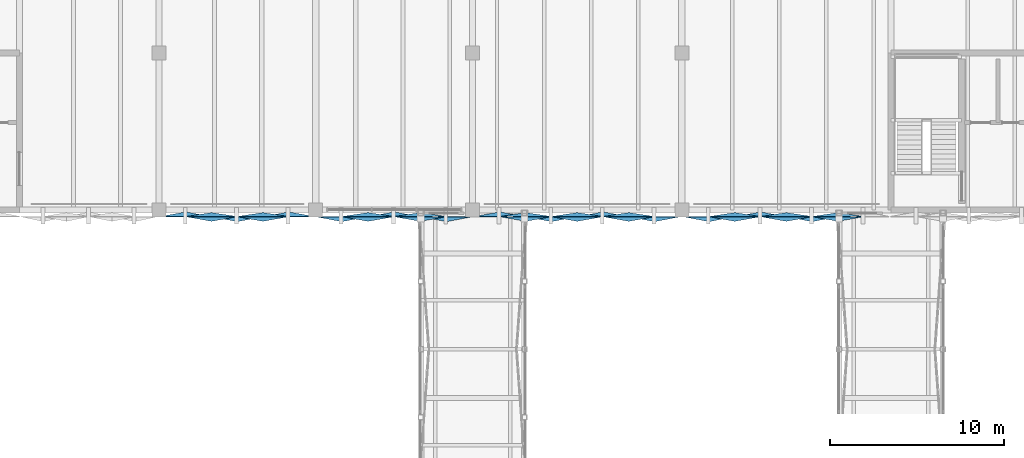
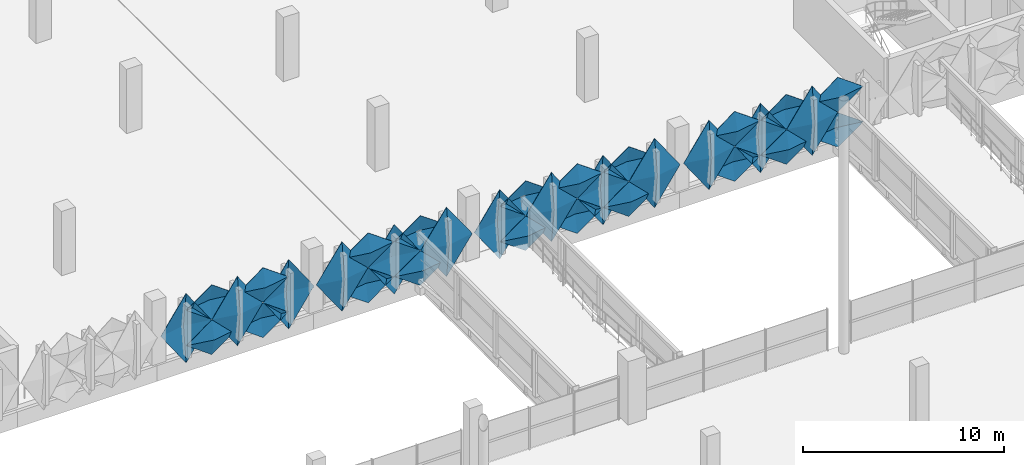
# One storey, part 92 of 123: 33 plates.
"""IFC4 building model written with IfcOpenShell, lengths in metres."""

from ifc_helpers import new_model, si_unit, derived_unit, direction, frame, origin, place, context, subcontext, project, spatial, polygons, material, layer, layer_set, type_object, element, save


model = new_model("IFC4")

# Units and contexts
model_context = context("Model", 3, precision=1e-05, world=origin(), true_north=direction((0.0, 1.0)))
body_context = subcontext(model_context, "Body", "Model", "MODEL_VIEW")
ifc_project = project(units=[si_unit("LENGTHUNIT", "METRE"), si_unit("AREAUNIT", "SQUARE_METRE"), si_unit("VOLUMEUNIT", "CUBIC_METRE"), si_unit("PLANEANGLEUNIT", "RADIAN"), si_unit("MASSUNIT", "GRAM", prefix="KILO"), si_unit("THERMODYNAMICTEMPERATUREUNIT", "KELVIN"), derived_unit("THERMALTRANSMITTANCEUNIT", [(si_unit("POWERUNIT", "WATT"), 1), (si_unit("AREAUNIT", "SQUARE_METRE"), -1), (si_unit("THERMODYNAMICTEMPERATUREUNIT", "KELVIN"), -1)])], contexts=[model_context])

# Site, building, storey
site_placement = place(None, origin())
site = spatial("IfcSite", under=ifc_project, at=site_placement, CompositionType="ELEMENT")
building_placement = place(site_placement, origin())
building = spatial("IfcBuilding", under=site, at=building_placement, Name="Haiyu Intermodal Mobility Hub", CompositionType="ELEMENT")
storey_placement = place(building_placement, frame((0.0, 0.0, 5.60009765625)))
storey = spatial("IfcBuildingStorey", under=building, at=storey_placement, Name="L01", CompositionType="ELEMENT", Elevation=5.60009765625)

# Plates
ifc_material = material(Name="Anodised aluminium 6063-T6", Category="aluminium")
ifc_layer_1 = layer(ifc_material, 0.01806640625)
ifc_layer_set_1 = layer_set([ifc_layer_1], Name="Anodised aluminium 6063-T6")
plate_type_1 = type_object("IfcPlateType", Name="PLT-FC01", PredefinedType="USERDEFINED", material=ifc_layer_set_1)
plate_1_placement = place(storey_placement, origin())
element("IfcPlate", 1, at=plate_1_placement, inside=storey, type_object=plate_type_1, Name="PLT-PYR-0854", ObjectType="FACADE CASSETTE", PredefinedType="USERDEFINED", context=body_context, shape_type="Tessellation", body=[
    polygons([(106.43994140625, 103.60009765625, -0.510009765625), (107.89990234375, 103.60009765625, 1.599853515625), (106.43994140625, 103.60009765625, 3.7099609375), (104.97998046875, 103.60009765625, 1.599853515625), (106.43994140625, 103.320068359375, 1.599853515625), (106.43994140625, 103.6220703125, -0.510009765625), (107.89990234375, 103.6220703125, 1.599853515625), (106.43994140625, 103.6220703125, 3.7099609375), (104.97998046875, 103.6220703125, 1.599853515625), (106.43994140625, 103.342041015625, 1.599853515625)], [[[1, 2, 5]], [[2, 3, 5]], [[3, 4, 5]], [[4, 1, 5]], [[7, 6, 10]], [[8, 7, 10]], [[9, 8, 10]], [[6, 9, 10]], [[1, 6, 7, 2]], [[2, 7, 8, 3]], [[3, 8, 9, 4]], [[4, 9, 6, 1]]], closed=True),
])
ifc_layer_2 = layer(ifc_material, 0.01806640625)
ifc_layer_set_2 = layer_set([ifc_layer_2], Name="Anodised aluminium 6063-T6")
plate_type_2 = type_object("IfcPlateType", Name="PLT-FC03", PredefinedType="USERDEFINED", material=ifc_layer_set_2)
plate_2_placement = place(storey_placement, origin())
element("IfcPlate", 2, at=plate_2_placement, inside=storey, type_object=plate_type_2, Name="PLT-PYR-0783", ObjectType="FACADE CASSETTE", PredefinedType="USERDEFINED", context=body_context, shape_type="Tessellation", body=[
    polygons([(81.027099609375, 103.60009765625, -0.52001953125), (82.47998046875, 103.60009765625, 0.52978515625), (81.027099609375, 103.60009765625, 1.579833984375), (79.572998046875, 103.60009765625, 0.52978515625), (81.027099609375, 103.340087890625, 0.52978515625), (81.027099609375, 103.6220703125, -0.52001953125), (82.47998046875, 103.6220703125, 0.52978515625), (81.027099609375, 103.6220703125, 1.579833984375), (79.572998046875, 103.6220703125, 0.52978515625), (81.027099609375, 103.362060546875, 0.52978515625)], [[[1, 2, 5]], [[2, 3, 5]], [[3, 4, 5]], [[4, 1, 5]], [[7, 6, 10]], [[8, 7, 10]], [[9, 8, 10]], [[6, 9, 10]], [[1, 6, 7, 2]], [[2, 7, 8, 3]], [[3, 8, 9, 4]], [[4, 9, 6, 1]]], closed=True),
])
plate_3_placement = place(storey_placement, origin())
element("IfcPlate", 3, at=plate_3_placement, inside=storey, type_object=plate_type_2, Name="PLT-PYR-0846", ObjectType="FACADE CASSETTE", PredefinedType="USERDEFINED", context=body_context, shape_type="Tessellation", body=[
    polygons([(99.0400390625, 103.60009765625, -0.52001953125), (100.5, 103.60009765625, 0.52978515625), (99.0400390625, 103.60009765625, 1.579833984375), (97.580078125, 103.60009765625, 0.52978515625), (99.0400390625, 103.340087890625, 0.52978515625), (99.0400390625, 103.6220703125, -0.52001953125), (100.5, 103.6220703125, 0.52978515625), (99.0400390625, 103.6220703125, 1.579833984375), (97.580078125, 103.6220703125, 0.52978515625), (99.0400390625, 103.362060546875, 0.52978515625)], [[[1, 2, 5]], [[2, 3, 5]], [[3, 4, 5]], [[4, 1, 5]], [[7, 6, 10]], [[8, 7, 10]], [[9, 8, 10]], [[6, 9, 10]], [[1, 6, 7, 2]], [[2, 7, 8, 3]], [[3, 8, 9, 4]], [[4, 9, 6, 1]]], closed=True),
])
plate_4_placement = place(storey_placement, origin())
element("IfcPlate", 4, at=plate_4_placement, inside=storey, type_object=plate_type_2, Name="PLT-PYR-0852", ObjectType="FACADE CASSETTE", PredefinedType="USERDEFINED", context=body_context, shape_type="Tessellation", body=[
    polygons([(104.9599609375, 103.60009765625, -0.52001953125), (106.419921875, 103.60009765625, 0.52978515625), (104.9599609375, 103.60009765625, 1.579833984375), (103.5, 103.60009765625, 0.52978515625), (104.9599609375, 103.340087890625, 0.52978515625), (104.9599609375, 103.6220703125, -0.52001953125), (106.419921875, 103.6220703125, 0.52978515625), (104.9599609375, 103.6220703125, 1.579833984375), (103.5, 103.6220703125, 0.52978515625), (104.9599609375, 103.362060546875, 0.52978515625)], [[[1, 2, 5]], [[2, 3, 5]], [[3, 4, 5]], [[4, 1, 5]], [[7, 6, 10]], [[8, 7, 10]], [[9, 8, 10]], [[6, 9, 10]], [[1, 6, 7, 2]], [[2, 7, 8, 3]], [[3, 8, 9, 4]], [[4, 9, 6, 1]]], closed=True),
])
plate_5_placement = place(storey_placement, origin())
element("IfcPlate", 5, at=plate_5_placement, inside=storey, type_object=plate_type_2, Name="PLT-PYR-0895", ObjectType="FACADE CASSETTE", PredefinedType="USERDEFINED", context=body_context, shape_type="Tessellation", body=[
    polygons([(109.56005859375, 103.60009765625, -0.510009765625), (111.02001953125, 103.60009765625, 1.599853515625), (109.56005859375, 103.60009765625, 3.7099609375), (108.10009765625, 103.60009765625, 1.599853515625), (109.56005859375, 103.320068359375, 1.599853515625), (109.56005859375, 103.6220703125, -0.510009765625), (111.02001953125, 103.6220703125, 1.599853515625), (109.56005859375, 103.6220703125, 3.7099609375), (108.10009765625, 103.6220703125, 1.599853515625), (109.56005859375, 103.342041015625, 1.599853515625)], [[[1, 2, 5]], [[2, 3, 5]], [[3, 4, 5]], [[4, 1, 5]], [[7, 6, 10]], [[8, 7, 10]], [[9, 8, 10]], [[6, 9, 10]], [[1, 6, 7, 2]], [[2, 7, 8, 3]], [[3, 8, 9, 4]], [[4, 9, 6, 1]]], closed=True),
])
plate_6_placement = place(storey_placement, origin())
element("IfcPlate", 6, at=plate_6_placement, inside=storey, type_object=plate_type_2, Name="PLT-PYR-0899", ObjectType="FACADE CASSETTE", PredefinedType="USERDEFINED", context=body_context, shape_type="Tessellation", body=[
    polygons([(114.0, 103.60009765625, -0.52001953125), (115.4599609375, 103.60009765625, 0.52978515625), (114.0, 103.60009765625, 1.579833984375), (112.5400390625, 103.60009765625, 0.52978515625), (114.0, 103.340087890625, 0.52978515625), (114.0, 103.6220703125, -0.52001953125), (115.4599609375, 103.6220703125, 0.52978515625), (114.0, 103.6220703125, 1.579833984375), (112.5400390625, 103.6220703125, 0.52978515625), (114.0, 103.362060546875, 0.52978515625)], [[[1, 2, 5]], [[2, 3, 5]], [[3, 4, 5]], [[4, 1, 5]], [[7, 6, 10]], [[8, 7, 10]], [[9, 8, 10]], [[6, 9, 10]], [[1, 6, 7, 2]], [[2, 7, 8, 3]], [[3, 8, 9, 4]], [[4, 9, 6, 1]]], closed=True),
])
plate_7_placement = place(storey_placement, origin())
element("IfcPlate", 7, at=plate_7_placement, inside=storey, type_object=plate_type_2, Name="PLT-PYR-2260", ObjectType="FACADE CASSETTE", PredefinedType="USERDEFINED", context=body_context, shape_type="Tessellation", body=[
    polygons([(88.5, 103.60009765625, -0.510009765625), (89.97998046875, 103.60009765625, 1.599853515625), (88.5, 103.60009765625, 3.7099609375), (87.02001953125, 103.60009765625, 1.599853515625), (88.5, 103.320068359375, 1.599853515625), (88.5, 103.6220703125, -0.510009765625), (89.97998046875, 103.6220703125, 1.599853515625), (88.5, 103.6220703125, 3.7099609375), (87.02001953125, 103.6220703125, 1.599853515625), (88.5, 103.342041015625, 1.599853515625)], [[[1, 2, 5]], [[2, 3, 5]], [[3, 4, 5]], [[4, 1, 5]], [[7, 6, 10]], [[8, 7, 10]], [[9, 8, 10]], [[6, 9, 10]], [[1, 6, 7, 2]], [[2, 7, 8, 3]], [[3, 8, 9, 4]], [[4, 9, 6, 1]]], closed=True),
])
plate_8_placement = place(storey_placement, origin())
element("IfcPlate", 8, at=plate_8_placement, inside=storey, type_object=plate_type_2, Name="PLT-PYR-2264", ObjectType="FACADE CASSETTE", PredefinedType="USERDEFINED", context=body_context, shape_type="Tessellation", body=[
    polygons([(93.0, 103.60009765625, -0.52001953125), (94.47998046875, 103.60009765625, 0.52978515625), (93.0, 103.60009765625, 1.579833984375), (91.52001953125, 103.60009765625, 0.52978515625), (93.0, 103.340087890625, 0.52978515625), (93.0, 103.6220703125, -0.52001953125), (94.47998046875, 103.6220703125, 0.52978515625), (93.0, 103.6220703125, 1.579833984375), (91.52001953125, 103.6220703125, 0.52978515625), (93.0, 103.362060546875, 0.52978515625)], [[[1, 2, 5]], [[2, 3, 5]], [[3, 4, 5]], [[4, 1, 5]], [[7, 6, 10]], [[8, 7, 10]], [[9, 8, 10]], [[6, 9, 10]], [[1, 6, 7, 2]], [[2, 7, 8, 3]], [[3, 8, 9, 4]], [[4, 9, 6, 1]]], closed=True),
])
ifc_layer_3 = layer(ifc_material, 0.02001953125)
ifc_layer_set_3 = layer_set([ifc_layer_3], Name="Anodised aluminium 6063-T6")
plate_type_3 = type_object("IfcPlateType", Name="PLT-FC04", PredefinedType="USERDEFINED", material=ifc_layer_set_3)
plate_9_placement = place(storey_placement, origin())
element("IfcPlate", 9, at=plate_9_placement, inside=storey, type_object=plate_type_3, Name="PLT-PYR-0782", ObjectType="FACADE CASSETTE", PredefinedType="USERDEFINED", context=body_context, shape_type="Tessellation", body=[
    polygons([(79.552978515625, 103.60009765625, -0.510009765625), (81.007080078125, 103.60009765625, 1.599853515625), (79.552978515625, 103.60009765625, 3.7099609375), (78.10009765625, 103.60009765625, 1.599853515625), (79.552978515625, 103.860107421875, 1.599853515625), (79.552978515625, 103.6220703125, -0.510009765625), (81.007080078125, 103.6220703125, 1.599853515625), (79.552978515625, 103.6220703125, 3.7099609375), (78.10009765625, 103.6220703125, 1.599853515625), (79.552978515625, 103.882080078125, 1.599853515625)], [[[1, 2, 5]], [[2, 3, 5]], [[3, 4, 5]], [[4, 1, 5]], [[7, 6, 10]], [[8, 7, 10]], [[9, 8, 10]], [[6, 9, 10]], [[1, 6, 7, 2]], [[2, 7, 8, 3]], [[3, 8, 9, 4]], [[4, 9, 6, 1]]], closed=True),
])
plate_10_placement = place(storey_placement, origin())
element("IfcPlate", 10, at=plate_10_placement, inside=storey, type_object=plate_type_3, Name="PLT-PYR-0786", ObjectType="FACADE CASSETTE", PredefinedType="USERDEFINED", context=body_context, shape_type="Tessellation", body=[
    polygons([(83.972900390625, 103.60009765625, -0.52001953125), (85.427001953125, 103.60009765625, 0.52978515625), (83.972900390625, 103.60009765625, 1.579833984375), (82.52001953125, 103.60009765625, 0.52978515625), (83.972900390625, 103.820068359375, 0.52978515625), (83.972900390625, 103.6220703125, -0.52001953125), (85.427001953125, 103.6220703125, 0.52978515625), (83.972900390625, 103.6220703125, 1.579833984375), (82.52001953125, 103.6220703125, 0.52978515625), (83.972900390625, 103.842041015625, 0.52978515625)], [[[1, 2, 5]], [[2, 3, 5]], [[3, 4, 5]], [[4, 1, 5]], [[7, 6, 10]], [[8, 7, 10]], [[9, 8, 10]], [[6, 9, 10]], [[1, 6, 7, 2]], [[2, 7, 8, 3]], [[3, 8, 9, 4]], [[4, 9, 6, 1]]], closed=True),
])
plate_11_placement = place(storey_placement, origin())
element("IfcPlate", 11, at=plate_11_placement, inside=storey, type_object=plate_type_3, Name="PLT-PYR-0845", ObjectType="FACADE CASSETTE", PredefinedType="USERDEFINED", context=body_context, shape_type="Tessellation", body=[
    polygons([(97.56005859375, 103.60009765625, -0.510009765625), (99.02001953125, 103.60009765625, 1.599853515625), (97.56005859375, 103.60009765625, 3.7099609375), (96.10009765625, 103.60009765625, 1.599853515625), (97.56005859375, 103.860107421875, 1.599853515625), (97.56005859375, 103.6220703125, -0.510009765625), (99.02001953125, 103.6220703125, 1.599853515625), (97.56005859375, 103.6220703125, 3.7099609375), (96.10009765625, 103.6220703125, 1.599853515625), (97.56005859375, 103.882080078125, 1.599853515625)], [[[1, 2, 5]], [[2, 3, 5]], [[3, 4, 5]], [[4, 1, 5]], [[7, 6, 10]], [[8, 7, 10]], [[9, 8, 10]], [[6, 9, 10]], [[1, 6, 7, 2]], [[2, 7, 8, 3]], [[3, 8, 9, 4]], [[4, 9, 6, 1]]], closed=True),
])
plate_12_placement = place(storey_placement, origin())
element("IfcPlate", 12, at=plate_12_placement, inside=storey, type_object=plate_type_3, Name="PLT-PYR-0849", ObjectType="FACADE CASSETTE", PredefinedType="USERDEFINED", context=body_context, shape_type="Tessellation", body=[
    polygons([(102.0, 103.60009765625, -0.52001953125), (103.4599609375, 103.60009765625, 0.52978515625), (102.0, 103.60009765625, 1.579833984375), (100.5400390625, 103.60009765625, 0.52978515625), (102.0, 103.820068359375, 0.52978515625), (102.0, 103.6220703125, -0.52001953125), (103.4599609375, 103.6220703125, 0.52978515625), (102.0, 103.6220703125, 1.579833984375), (100.5400390625, 103.6220703125, 0.52978515625), (102.0, 103.842041015625, 0.52978515625)], [[[1, 2, 5]], [[2, 3, 5]], [[3, 4, 5]], [[4, 1, 5]], [[7, 6, 10]], [[8, 7, 10]], [[9, 8, 10]], [[6, 9, 10]], [[1, 6, 7, 2]], [[2, 7, 8, 3]], [[3, 8, 9, 4]], [[4, 9, 6, 1]]], closed=True),
])
plate_13_placement = place(storey_placement, origin())
element("IfcPlate", 13, at=plate_13_placement, inside=storey, type_object=plate_type_3, Name="PLT-PYR-0896", ObjectType="FACADE CASSETTE", PredefinedType="USERDEFINED", context=body_context, shape_type="Tessellation", body=[
    polygons([(111.0400390625, 103.60009765625, -0.52001953125), (112.5, 103.60009765625, 0.52978515625), (111.0400390625, 103.60009765625, 1.579833984375), (109.580078125, 103.60009765625, 0.52978515625), (111.0400390625, 103.820068359375, 0.52978515625), (111.0400390625, 103.6220703125, -0.52001953125), (112.5, 103.6220703125, 0.52978515625), (111.0400390625, 103.6220703125, 1.579833984375), (109.580078125, 103.6220703125, 0.52978515625), (111.0400390625, 103.842041015625, 0.52978515625)], [[[1, 2, 5]], [[2, 3, 5]], [[3, 4, 5]], [[4, 1, 5]], [[7, 6, 10]], [[8, 7, 10]], [[9, 8, 10]], [[6, 9, 10]], [[1, 6, 7, 2]], [[2, 7, 8, 3]], [[3, 8, 9, 4]], [[4, 9, 6, 1]]], closed=True),
])
plate_14_placement = place(storey_placement, origin())
element("IfcPlate", 14, at=plate_14_placement, inside=storey, type_object=plate_type_3, Name="PLT-PYR-0902", ObjectType="FACADE CASSETTE", PredefinedType="USERDEFINED", context=body_context, shape_type="Tessellation", body=[
    polygons([(116.9599609375, 103.60009765625, -0.52001953125), (118.419921875, 103.60009765625, 0.52978515625), (116.9599609375, 103.60009765625, 1.579833984375), (115.5, 103.60009765625, 0.52978515625), (116.9599609375, 103.820068359375, 0.52978515625), (116.9599609375, 103.6220703125, -0.52001953125), (118.419921875, 103.6220703125, 0.52978515625), (116.9599609375, 103.6220703125, 1.579833984375), (115.5, 103.6220703125, 0.52978515625), (116.9599609375, 103.842041015625, 0.52978515625)], [[[1, 2, 5]], [[2, 3, 5]], [[3, 4, 5]], [[4, 1, 5]], [[7, 6, 10]], [[8, 7, 10]], [[9, 8, 10]], [[6, 9, 10]], [[1, 6, 7, 2]], [[2, 7, 8, 3]], [[3, 8, 9, 4]], [[4, 9, 6, 1]]], closed=True),
])
plate_15_placement = place(storey_placement, origin())
element("IfcPlate", 15, at=plate_15_placement, inside=storey, type_object=plate_type_3, Name="PLT-PYR-2261", ObjectType="FACADE CASSETTE", PredefinedType="USERDEFINED", context=body_context, shape_type="Tessellation", body=[
    polygons([(90.0, 103.60009765625, -0.52001953125), (91.47998046875, 103.60009765625, 0.52978515625), (90.0, 103.60009765625, 1.579833984375), (88.52001953125, 103.60009765625, 0.52978515625), (90.0, 103.820068359375, 0.52978515625), (90.0, 103.6220703125, -0.52001953125), (91.47998046875, 103.6220703125, 0.52978515625), (90.0, 103.6220703125, 1.579833984375), (88.52001953125, 103.6220703125, 0.52978515625), (90.0, 103.842041015625, 0.52978515625)], [[[1, 2, 5]], [[2, 3, 5]], [[3, 4, 5]], [[4, 1, 5]], [[7, 6, 10]], [[8, 7, 10]], [[9, 8, 10]], [[6, 9, 10]], [[1, 6, 7, 2]], [[2, 7, 8, 3]], [[3, 8, 9, 4]], [[4, 9, 6, 1]]], closed=True),
])
ifc_layer_4 = layer(ifc_material, 0.01806640625)
ifc_layer_set_4 = layer_set([ifc_layer_4], Name="Anodised aluminium 6063-T6")
plate_type_4 = type_object("IfcPlateType", Name="PLT-FC05", PredefinedType="USERDEFINED", material=ifc_layer_set_4)
plate_16_placement = place(storey_placement, origin())
element("IfcPlate", 16, at=plate_16_placement, inside=storey, type_object=plate_type_4, Name="PLT-PYR-0785", ObjectType="FACADE CASSETTE", PredefinedType="USERDEFINED", context=body_context, shape_type="Tessellation", body=[
    polygons([(82.5, 103.60009765625, -0.510009765625), (83.952880859375, 103.60009765625, 1.599853515625), (82.5, 103.60009765625, 3.7099609375), (81.047119140625, 103.60009765625, 1.599853515625), (82.5, 103.320068359375, 1.599853515625), (82.5, 103.6220703125, -0.510009765625), (83.952880859375, 103.6220703125, 1.599853515625), (82.5, 103.6220703125, 3.7099609375), (81.047119140625, 103.6220703125, 1.599853515625), (82.5, 103.342041015625, 1.599853515625)], [[[1, 2, 5]], [[2, 3, 5]], [[3, 4, 5]], [[4, 1, 5]], [[7, 6, 10]], [[8, 7, 10]], [[9, 8, 10]], [[6, 9, 10]], [[1, 6, 7, 2]], [[2, 7, 8, 3]], [[3, 8, 9, 4]], [[4, 9, 6, 1]]], closed=True),
])
plate_17_placement = place(storey_placement, origin())
element("IfcPlate", 17, at=plate_17_placement, inside=storey, type_object=plate_type_4, Name="PLT-PYR-0787", ObjectType="FACADE CASSETTE", PredefinedType="USERDEFINED", context=body_context, shape_type="Tessellation", body=[
    polygons([(83.972900390625, 103.60009765625, 1.619873046875), (85.427001953125, 103.60009765625, 2.669921875), (83.972900390625, 103.60009765625, 3.719970703125), (82.52001953125, 103.60009765625, 2.669921875), (83.972900390625, 103.340087890625, 2.669921875), (83.972900390625, 103.6220703125, 1.619873046875), (85.427001953125, 103.6220703125, 2.669921875), (83.972900390625, 103.6220703125, 3.719970703125), (82.52001953125, 103.6220703125, 2.669921875), (83.972900390625, 103.362060546875, 2.669921875)], [[[1, 2, 5]], [[2, 3, 5]], [[3, 4, 5]], [[4, 1, 5]], [[7, 6, 10]], [[8, 7, 10]], [[9, 8, 10]], [[6, 9, 10]], [[1, 6, 7, 2]], [[2, 7, 8, 3]], [[3, 8, 9, 4]], [[4, 9, 6, 1]]], closed=True),
])
plate_18_placement = place(storey_placement, origin())
element("IfcPlate", 18, at=plate_18_placement, inside=storey, type_object=plate_type_4, Name="PLT-PYR-0848", ObjectType="FACADE CASSETTE", PredefinedType="USERDEFINED", context=body_context, shape_type="Tessellation", body=[
    polygons([(100.52001953125, 103.60009765625, -0.510009765625), (101.97998046875, 103.60009765625, 1.599853515625), (100.52001953125, 103.60009765625, 3.7099609375), (99.06005859375, 103.60009765625, 1.599853515625), (100.52001953125, 103.320068359375, 1.599853515625), (100.52001953125, 103.6220703125, -0.510009765625), (101.97998046875, 103.6220703125, 1.599853515625), (100.52001953125, 103.6220703125, 3.7099609375), (99.06005859375, 103.6220703125, 1.599853515625), (100.52001953125, 103.342041015625, 1.599853515625)], [[[1, 2, 5]], [[2, 3, 5]], [[3, 4, 5]], [[4, 1, 5]], [[7, 6, 10]], [[8, 7, 10]], [[9, 8, 10]], [[6, 9, 10]], [[1, 6, 7, 2]], [[2, 7, 8, 3]], [[3, 8, 9, 4]], [[4, 9, 6, 1]]], closed=True),
])
plate_19_placement = place(storey_placement, origin())
element("IfcPlate", 19, at=plate_19_placement, inside=storey, type_object=plate_type_4, Name="PLT-PYR-0850", ObjectType="FACADE CASSETTE", PredefinedType="USERDEFINED", context=body_context, shape_type="Tessellation", body=[
    polygons([(102.0, 103.60009765625, 1.619873046875), (103.4599609375, 103.60009765625, 2.669921875), (102.0, 103.60009765625, 3.719970703125), (100.5400390625, 103.60009765625, 2.669921875), (102.0, 103.340087890625, 2.669921875), (102.0, 103.6220703125, 1.619873046875), (103.4599609375, 103.6220703125, 2.669921875), (102.0, 103.6220703125, 3.719970703125), (100.5400390625, 103.6220703125, 2.669921875), (102.0, 103.362060546875, 2.669921875)], [[[1, 2, 5]], [[2, 3, 5]], [[3, 4, 5]], [[4, 1, 5]], [[7, 6, 10]], [[8, 7, 10]], [[9, 8, 10]], [[6, 9, 10]], [[1, 6, 7, 2]], [[2, 7, 8, 3]], [[3, 8, 9, 4]], [[4, 9, 6, 1]]], closed=True),
])
plate_20_placement = place(storey_placement, origin())
element("IfcPlate", 20, at=plate_20_placement, inside=storey, type_object=plate_type_4, Name="PLT-PYR-0897", ObjectType="FACADE CASSETTE", PredefinedType="USERDEFINED", context=body_context, shape_type="Tessellation", body=[
    polygons([(111.0400390625, 103.60009765625, 1.619873046875), (112.5, 103.60009765625, 2.669921875), (111.0400390625, 103.60009765625, 3.719970703125), (109.580078125, 103.60009765625, 2.669921875), (111.0400390625, 103.340087890625, 2.669921875), (111.0400390625, 103.6220703125, 1.619873046875), (112.5, 103.6220703125, 2.669921875), (111.0400390625, 103.6220703125, 3.719970703125), (109.580078125, 103.6220703125, 2.669921875), (111.0400390625, 103.362060546875, 2.669921875)], [[[1, 2, 5]], [[2, 3, 5]], [[3, 4, 5]], [[4, 1, 5]], [[7, 6, 10]], [[8, 7, 10]], [[9, 8, 10]], [[6, 9, 10]], [[1, 6, 7, 2]], [[2, 7, 8, 3]], [[3, 8, 9, 4]], [[4, 9, 6, 1]]], closed=True),
])
plate_21_placement = place(storey_placement, origin())
element("IfcPlate", 21, at=plate_21_placement, inside=storey, type_object=plate_type_4, Name="PLT-PYR-0903", ObjectType="FACADE CASSETTE", PredefinedType="USERDEFINED", context=body_context, shape_type="Tessellation", body=[
    polygons([(116.9599609375, 103.60009765625, 1.619873046875), (118.419921875, 103.60009765625, 2.669921875), (116.9599609375, 103.60009765625, 3.719970703125), (115.5, 103.60009765625, 2.669921875), (116.9599609375, 103.340087890625, 2.669921875), (116.9599609375, 103.6220703125, 1.619873046875), (118.419921875, 103.6220703125, 2.669921875), (116.9599609375, 103.6220703125, 3.719970703125), (115.5, 103.6220703125, 2.669921875), (116.9599609375, 103.362060546875, 2.669921875)], [[[1, 2, 5]], [[2, 3, 5]], [[3, 4, 5]], [[4, 1, 5]], [[7, 6, 10]], [[8, 7, 10]], [[9, 8, 10]], [[6, 9, 10]], [[1, 6, 7, 2]], [[2, 7, 8, 3]], [[3, 8, 9, 4]], [[4, 9, 6, 1]]], closed=True),
])
plate_22_placement = place(storey_placement, origin())
element("IfcPlate", 22, at=plate_22_placement, inside=storey, type_object=plate_type_4, Name="PLT-PYR-2262", ObjectType="FACADE CASSETTE", PredefinedType="USERDEFINED", context=body_context, shape_type="Tessellation", body=[
    polygons([(90.0, 103.60009765625, 1.619873046875), (91.47998046875, 103.60009765625, 2.669921875), (90.0, 103.60009765625, 3.719970703125), (88.52001953125, 103.60009765625, 2.669921875), (90.0, 103.340087890625, 2.669921875), (90.0, 103.6220703125, 1.619873046875), (91.47998046875, 103.6220703125, 2.669921875), (90.0, 103.6220703125, 3.719970703125), (88.52001953125, 103.6220703125, 2.669921875), (90.0, 103.362060546875, 2.669921875)], [[[1, 2, 5]], [[2, 3, 5]], [[3, 4, 5]], [[4, 1, 5]], [[7, 6, 10]], [[8, 7, 10]], [[9, 8, 10]], [[6, 9, 10]], [[1, 6, 7, 2]], [[2, 7, 8, 3]], [[3, 8, 9, 4]], [[4, 9, 6, 1]]], closed=True),
])
ifc_layer_5 = layer(ifc_material, 0.02001953125)
ifc_layer_set_5 = layer_set([ifc_layer_5], Name="Anodised aluminium 6063-T6")
plate_type_5 = type_object("IfcPlateType", Name="PLT-FC06", PredefinedType="USERDEFINED", material=ifc_layer_set_5)
plate_23_placement = place(storey_placement, origin())
element("IfcPlate", 23, at=plate_23_placement, inside=storey, type_object=plate_type_5, Name="PLT-PYR-0784", ObjectType="FACADE CASSETTE", PredefinedType="USERDEFINED", context=body_context, shape_type="Tessellation", body=[
    polygons([(81.027099609375, 103.60009765625, 1.619873046875), (82.47998046875, 103.60009765625, 2.669921875), (81.027099609375, 103.60009765625, 3.719970703125), (79.572998046875, 103.60009765625, 2.669921875), (81.027099609375, 103.820068359375, 2.669921875), (81.027099609375, 103.6220703125, 1.619873046875), (82.47998046875, 103.6220703125, 2.669921875), (81.027099609375, 103.6220703125, 3.719970703125), (79.572998046875, 103.6220703125, 2.669921875), (81.027099609375, 103.842041015625, 2.669921875)], [[[1, 2, 5]], [[2, 3, 5]], [[3, 4, 5]], [[4, 1, 5]], [[7, 6, 10]], [[8, 7, 10]], [[9, 8, 10]], [[6, 9, 10]], [[1, 6, 7, 2]], [[2, 7, 8, 3]], [[3, 8, 9, 4]], [[4, 9, 6, 1]]], closed=True),
])
plate_24_placement = place(storey_placement, origin())
element("IfcPlate", 24, at=plate_24_placement, inside=storey, type_object=plate_type_5, Name="PLT-PYR-0847", ObjectType="FACADE CASSETTE", PredefinedType="USERDEFINED", context=body_context, shape_type="Tessellation", body=[
    polygons([(99.0400390625, 103.60009765625, 1.619873046875), (100.5, 103.60009765625, 2.669921875), (99.0400390625, 103.60009765625, 3.719970703125), (97.580078125, 103.60009765625, 2.669921875), (99.0400390625, 103.820068359375, 2.669921875), (99.0400390625, 103.6220703125, 1.619873046875), (100.5, 103.6220703125, 2.669921875), (99.0400390625, 103.6220703125, 3.719970703125), (97.580078125, 103.6220703125, 2.669921875), (99.0400390625, 103.842041015625, 2.669921875)], [[[1, 2, 5]], [[2, 3, 5]], [[3, 4, 5]], [[4, 1, 5]], [[7, 6, 10]], [[8, 7, 10]], [[9, 8, 10]], [[6, 9, 10]], [[1, 6, 7, 2]], [[2, 7, 8, 3]], [[3, 8, 9, 4]], [[4, 9, 6, 1]]], closed=True),
])
plate_25_placement = place(storey_placement, origin())
element("IfcPlate", 25, at=plate_25_placement, inside=storey, type_object=plate_type_5, Name="PLT-PYR-0853", ObjectType="FACADE CASSETTE", PredefinedType="USERDEFINED", context=body_context, shape_type="Tessellation", body=[
    polygons([(104.9599609375, 103.60009765625, 1.619873046875), (106.419921875, 103.60009765625, 2.669921875), (104.9599609375, 103.60009765625, 3.719970703125), (103.5, 103.60009765625, 2.669921875), (104.9599609375, 103.820068359375, 2.669921875), (104.9599609375, 103.6220703125, 1.619873046875), (106.419921875, 103.6220703125, 2.669921875), (104.9599609375, 103.6220703125, 3.719970703125), (103.5, 103.6220703125, 2.669921875), (104.9599609375, 103.842041015625, 2.669921875)], [[[1, 2, 5]], [[2, 3, 5]], [[3, 4, 5]], [[4, 1, 5]], [[7, 6, 10]], [[8, 7, 10]], [[9, 8, 10]], [[6, 9, 10]], [[1, 6, 7, 2]], [[2, 7, 8, 3]], [[3, 8, 9, 4]], [[4, 9, 6, 1]]], closed=True),
])
plate_26_placement = place(storey_placement, origin())
element("IfcPlate", 26, at=plate_26_placement, inside=storey, type_object=plate_type_5, Name="PLT-PYR-0898", ObjectType="FACADE CASSETTE", PredefinedType="USERDEFINED", context=body_context, shape_type="Tessellation", body=[
    polygons([(112.52001953125, 103.60009765625, -0.510009765625), (113.97998046875, 103.60009765625, 1.599853515625), (112.52001953125, 103.60009765625, 3.7099609375), (111.06005859375, 103.60009765625, 1.599853515625), (112.52001953125, 103.860107421875, 1.599853515625), (112.52001953125, 103.6220703125, -0.510009765625), (113.97998046875, 103.6220703125, 1.599853515625), (112.52001953125, 103.6220703125, 3.7099609375), (111.06005859375, 103.6220703125, 1.599853515625), (112.52001953125, 103.882080078125, 1.599853515625)], [[[1, 2, 5]], [[2, 3, 5]], [[3, 4, 5]], [[4, 1, 5]], [[7, 6, 10]], [[8, 7, 10]], [[9, 8, 10]], [[6, 9, 10]], [[1, 6, 7, 2]], [[2, 7, 8, 3]], [[3, 8, 9, 4]], [[4, 9, 6, 1]]], closed=True),
])
plate_27_placement = place(storey_placement, origin())
element("IfcPlate", 27, at=plate_27_placement, inside=storey, type_object=plate_type_5, Name="PLT-PYR-0900", ObjectType="FACADE CASSETTE", PredefinedType="USERDEFINED", context=body_context, shape_type="Tessellation", body=[
    polygons([(114.0, 103.60009765625, 1.619873046875), (115.4599609375, 103.60009765625, 2.669921875), (114.0, 103.60009765625, 3.719970703125), (112.5400390625, 103.60009765625, 2.669921875), (114.0, 103.820068359375, 2.669921875), (114.0, 103.6220703125, 1.619873046875), (115.4599609375, 103.6220703125, 2.669921875), (114.0, 103.6220703125, 3.719970703125), (112.5400390625, 103.6220703125, 2.669921875), (114.0, 103.842041015625, 2.669921875)], [[[1, 2, 5]], [[2, 3, 5]], [[3, 4, 5]], [[4, 1, 5]], [[7, 6, 10]], [[8, 7, 10]], [[9, 8, 10]], [[6, 9, 10]], [[1, 6, 7, 2]], [[2, 7, 8, 3]], [[3, 8, 9, 4]], [[4, 9, 6, 1]]], closed=True),
])
plate_28_placement = place(storey_placement, origin())
element("IfcPlate", 28, at=plate_28_placement, inside=storey, type_object=plate_type_5, Name="PLT-PYR-2263", ObjectType="FACADE CASSETTE", PredefinedType="USERDEFINED", context=body_context, shape_type="Tessellation", body=[
    polygons([(91.5, 103.60009765625, -0.510009765625), (92.97998046875, 103.60009765625, 1.599853515625), (91.5, 103.60009765625, 3.7099609375), (90.02001953125, 103.60009765625, 1.599853515625), (91.5, 103.860107421875, 1.599853515625), (91.5, 103.6220703125, -0.510009765625), (92.97998046875, 103.6220703125, 1.599853515625), (91.5, 103.6220703125, 3.7099609375), (90.02001953125, 103.6220703125, 1.599853515625), (91.5, 103.882080078125, 1.599853515625)], [[[1, 2, 5]], [[2, 3, 5]], [[3, 4, 5]], [[4, 1, 5]], [[7, 6, 10]], [[8, 7, 10]], [[9, 8, 10]], [[6, 9, 10]], [[1, 6, 7, 2]], [[2, 7, 8, 3]], [[3, 8, 9, 4]], [[4, 9, 6, 1]]], closed=True),
])
plate_29_placement = place(storey_placement, origin())
element("IfcPlate", 29, at=plate_29_placement, inside=storey, type_object=plate_type_5, Name="PLT-PYR-2265", ObjectType="FACADE CASSETTE", PredefinedType="USERDEFINED", context=body_context, shape_type="Tessellation", body=[
    polygons([(93.0, 103.60009765625, 1.619873046875), (94.47998046875, 103.60009765625, 2.669921875), (93.0, 103.60009765625, 3.719970703125), (91.52001953125, 103.60009765625, 2.669921875), (93.0, 103.820068359375, 2.669921875), (93.0, 103.6220703125, 1.619873046875), (94.47998046875, 103.6220703125, 2.669921875), (93.0, 103.6220703125, 3.719970703125), (91.52001953125, 103.6220703125, 2.669921875), (93.0, 103.842041015625, 2.669921875)], [[[1, 2, 5]], [[2, 3, 5]], [[3, 4, 5]], [[4, 1, 5]], [[7, 6, 10]], [[8, 7, 10]], [[9, 8, 10]], [[6, 9, 10]], [[1, 6, 7, 2]], [[2, 7, 8, 3]], [[3, 8, 9, 4]], [[4, 9, 6, 1]]], closed=True),
])
ifc_layer_6 = layer(ifc_material, 0.02197265625)
ifc_layer_set_6 = layer_set([ifc_layer_6], Name="Anodised aluminium 6063-T6")
plate_type_6 = type_object("IfcPlateType", Name="PLT-FC07", PredefinedType="USERDEFINED", material=ifc_layer_set_6)
plate_30_placement = place(storey_placement, origin())
element("IfcPlate", 30, at=plate_30_placement, inside=storey, type_object=plate_type_6, Name="PLT-PYR-0901", ObjectType="FACADE CASSETTE", PredefinedType="USERDEFINED", context=body_context, shape_type="Tessellation", body=[
    polygons([(115.47998046875, 103.60009765625, -0.510009765625), (116.93994140625, 103.60009765625, 1.599853515625), (115.47998046875, 103.60009765625, 3.7099609375), (114.02001953125, 103.60009765625, 1.599853515625), (115.47998046875, 103.320068359375, 1.599853515625), (115.47998046875, 103.6220703125, -0.510009765625), (116.93994140625, 103.6220703125, 1.599853515625), (115.47998046875, 103.6220703125, 3.7099609375), (114.02001953125, 103.6220703125, 1.599853515625), (115.47998046875, 103.342041015625, 1.599853515625)], [[[1, 2, 5]], [[2, 3, 5]], [[3, 4, 5]], [[4, 1, 5]], [[7, 6, 10]], [[8, 7, 10]], [[9, 8, 10]], [[6, 9, 10]], [[1, 6, 7, 2]], [[2, 7, 8, 3]], [[3, 8, 9, 4]], [[4, 9, 6, 1]]], closed=True),
])
plate_31_placement = place(storey_placement, origin())
element("IfcPlate", 31, at=plate_31_placement, inside=storey, type_object=plate_type_6, Name="PLT-PYR-2266", ObjectType="FACADE CASSETTE", PredefinedType="USERDEFINED", context=body_context, shape_type="Tessellation", body=[
    polygons([(94.5, 103.60009765625, -0.510009765625), (95.97998046875, 103.60009765625, 1.599853515625), (94.5, 103.60009765625, 3.7099609375), (93.02001953125, 103.60009765625, 1.599853515625), (94.5, 103.320068359375, 1.599853515625), (94.5, 103.6220703125, -0.510009765625), (95.97998046875, 103.6220703125, 1.599853515625), (94.5, 103.6220703125, 3.7099609375), (93.02001953125, 103.6220703125, 1.599853515625), (94.5, 103.342041015625, 1.599853515625)], [[[1, 2, 5]], [[2, 3, 5]], [[3, 4, 5]], [[4, 1, 5]], [[7, 6, 10]], [[8, 7, 10]], [[9, 8, 10]], [[6, 9, 10]], [[1, 6, 7, 2]], [[2, 7, 8, 3]], [[3, 8, 9, 4]], [[4, 9, 6, 1]]], closed=True),
])
ifc_layer_7 = layer(ifc_material, 0.02392578125)
ifc_layer_set_7 = layer_set([ifc_layer_7], Name="Anodised aluminium 6063-T6")
plate_type_7 = type_object("IfcPlateType", Name="PLT-FC08", PredefinedType="USERDEFINED", material=ifc_layer_set_7)
plate_32_placement = place(storey_placement, origin())
element("IfcPlate", 32, at=plate_32_placement, inside=storey, type_object=plate_type_7, Name="PLT-PYR-0788", ObjectType="FACADE CASSETTE", PredefinedType="USERDEFINED", context=body_context, shape_type="Tessellation", body=[
    polygons([(85.447021484375, 103.60009765625, -0.510009765625), (86.89990234375, 103.60009765625, 1.599853515625), (85.447021484375, 103.60009765625, 3.7099609375), (83.992919921875, 103.60009765625, 1.599853515625), (85.447021484375, 103.860107421875, 1.599853515625), (85.447021484375, 103.6220703125, -0.510009765625), (86.89990234375, 103.6220703125, 1.599853515625), (85.447021484375, 103.6220703125, 3.7099609375), (83.992919921875, 103.6220703125, 1.599853515625), (85.447021484375, 103.882080078125, 1.599853515625)], [[[1, 2, 5]], [[2, 3, 5]], [[3, 4, 5]], [[4, 1, 5]], [[7, 6, 10]], [[8, 7, 10]], [[9, 8, 10]], [[6, 9, 10]], [[1, 6, 7, 2]], [[2, 7, 8, 3]], [[3, 8, 9, 4]], [[4, 9, 6, 1]]], closed=True),
])
plate_33_placement = place(storey_placement, origin())
element("IfcPlate", 33, at=plate_33_placement, inside=storey, type_object=plate_type_7, Name="PLT-PYR-0851", ObjectType="FACADE CASSETTE", PredefinedType="USERDEFINED", context=body_context, shape_type="Tessellation", body=[
    polygons([(103.47998046875, 103.60009765625, -0.510009765625), (104.93994140625, 103.60009765625, 1.599853515625), (103.47998046875, 103.60009765625, 3.7099609375), (102.02001953125, 103.60009765625, 1.599853515625), (103.47998046875, 103.860107421875, 1.599853515625), (103.47998046875, 103.6220703125, -0.510009765625), (104.93994140625, 103.6220703125, 1.599853515625), (103.47998046875, 103.6220703125, 3.7099609375), (102.02001953125, 103.6220703125, 1.599853515625), (103.47998046875, 103.882080078125, 1.599853515625)], [[[1, 2, 5]], [[2, 3, 5]], [[3, 4, 5]], [[4, 1, 5]], [[7, 6, 10]], [[8, 7, 10]], [[9, 8, 10]], [[6, 9, 10]], [[1, 6, 7, 2]], [[2, 7, 8, 3]], [[3, 8, 9, 4]], [[4, 9, 6, 1]]], closed=True),
])

save(model, "model.ifc")
